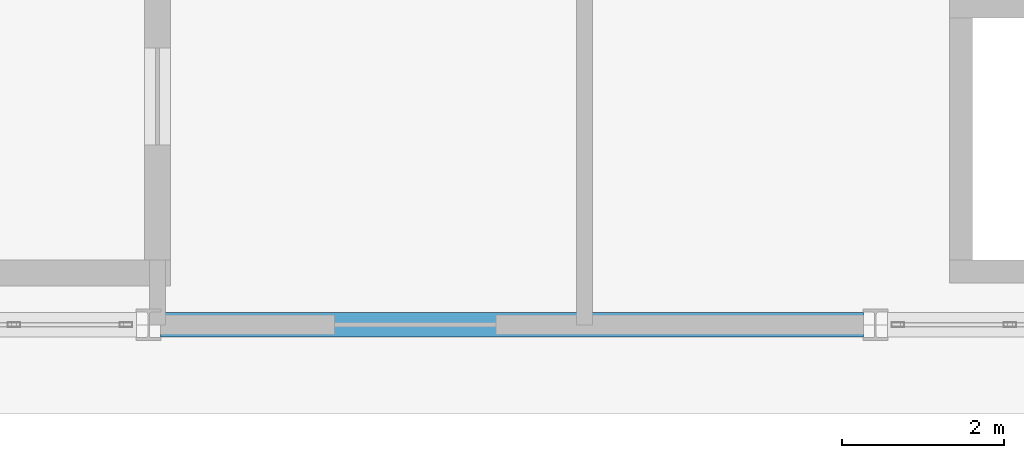
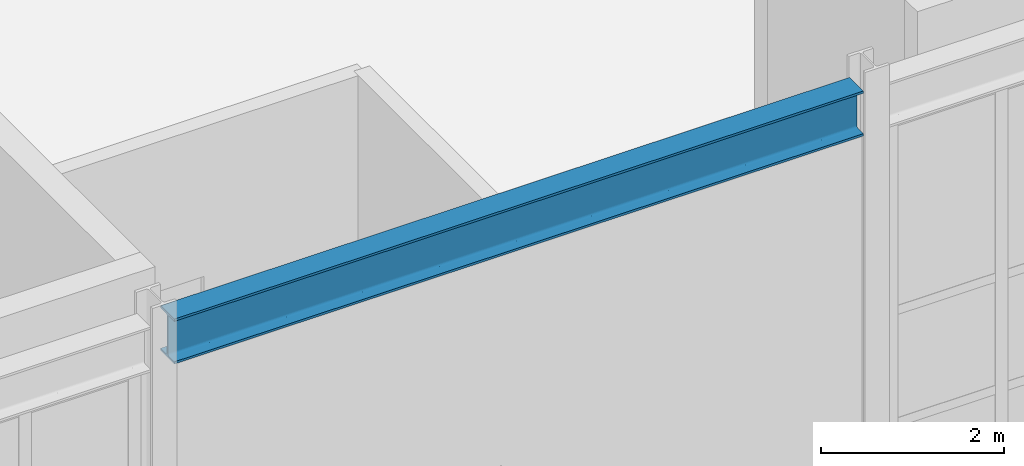
# One storey, part 21 of 146: 1 beam.
"""IFC4 building model written with IfcOpenShell, lengths in metres."""

from ifc_helpers import new_model, si_unit, direction, frame, origin, origin_2d, place, context, subcontext, project, spatial, i_section, extrude, material, material_profile, profile_set, type_object, element, save


model = new_model("IFC4")

# Units and contexts
model_context = context("Model", 3, precision=1e-05, world=origin(), true_north=direction((0.0, 1.0)))
body_context = subcontext(model_context, "Body", "Model", "MODEL_VIEW")
ifc_project = project(units=[si_unit("LENGTHUNIT", "METRE"), si_unit("AREAUNIT", "SQUARE_METRE"), si_unit("VOLUMEUNIT", "CUBIC_METRE"), si_unit("PLANEANGLEUNIT", "RADIAN"), si_unit("MASSUNIT", "GRAM", prefix="KILO")], contexts=[model_context])

# Site, building, storey
site_placement = place(None, origin())
site = spatial("IfcSite", under=ifc_project, at=site_placement, CompositionType="ELEMENT")
building_placement = place(site_placement, origin())
building = spatial("IfcBuilding", under=site, at=building_placement, Name="Kaldris Quays Convention Centre", CompositionType="ELEMENT")
storey_placement = place(building_placement, origin())
storey = spatial("IfcBuildingStorey", under=building, at=storey_placement, Name="L00", CompositionType="ELEMENT", Elevation=0.0)

# Beam
ifc_material = material(Name="Steel S355J2", Category="steel")
ifc_material_profile = material_profile(ifc_material, i_section(OverallWidth=0.300048828125, OverallDepth=0.60009765625, WebThickness=0.015380859375, FlangeThickness=0.030029296875, FilletRadius=0.027099609375, at=origin_2d()), Name="HEB 600")
ifc_profile_set = profile_set([ifc_material_profile], Name="Steel S355J2")
beam_type = type_object("IfcBeamType", Name="STRUCTURAL BEAM BM05", PredefinedType="BEAM", material=ifc_profile_set)
beam_placement = place(storey_placement, frame((29.14794921875, 16.0, 5.423095703125), z_axis=(1.0, 0.0, 0.0), x_axis=(0.0, 1.0, 0.0)))
element("IfcBeam", 1, at=beam_placement, inside=storey, type_object=beam_type, Name="L00 Girder BM05 2", PredefinedType="BEAM", context=body_context, shape_type="SweptSolid", body=[
    extrude(i_section(OverallWidth=0.300048828125, OverallDepth=0.60009765625, WebThickness=0.015380859375, FlangeThickness=0.030029296875, FilletRadius=0.027099609375, at=origin_2d()), origin(), (0.0, 0.0, 1.0), 8.7041015625),
])

save(model, "model.ifc")
